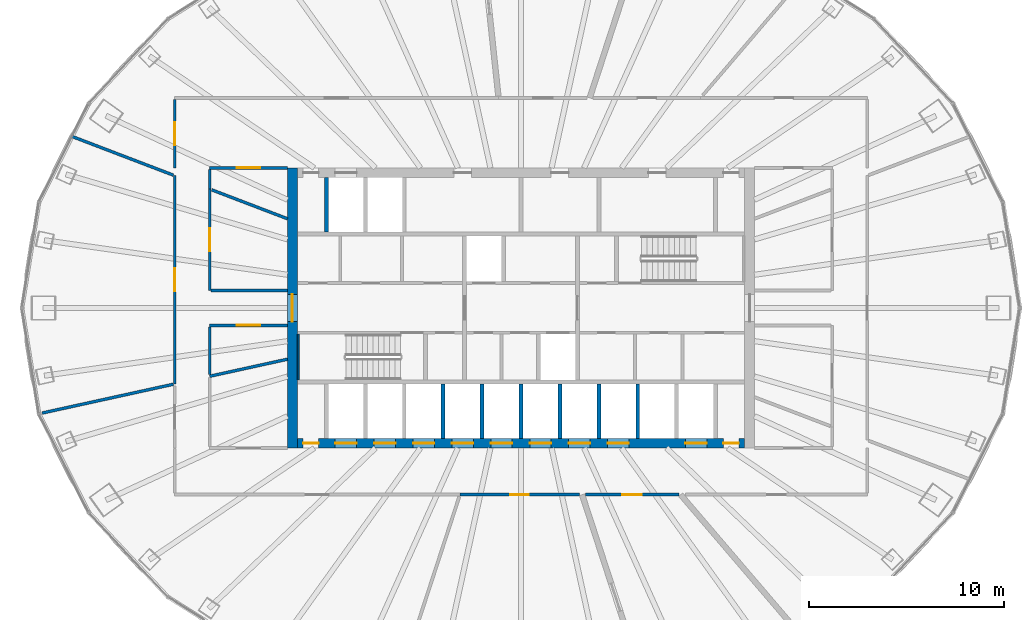
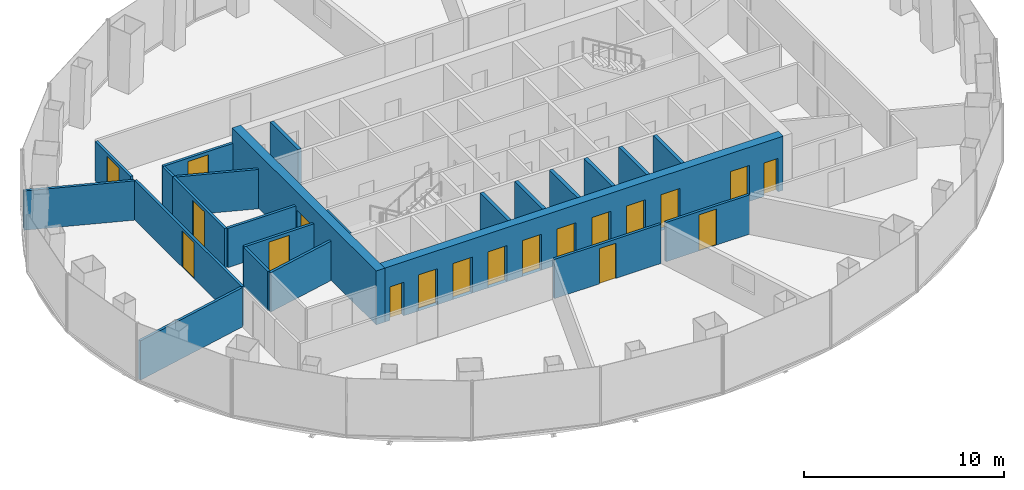
# One storey, part 8 of 12: 24 walls, 19 doors, 19 openings.
"""IFC4 building model written with IfcOpenShell, lengths in metres."""

from ifc_helpers import new_model, si_unit, direction, frame, frame_2d, origin, place, context, subcontext, project, spatial, rectangle, extrude, material, layer, layer_set, type_object, element, fill, save


model = new_model("IFC4")

# Units and contexts
model_context = context("Model", 3, precision=1e-05, world=origin(), true_north=direction((0.0, 1.0)))
body_context = subcontext(model_context, "Body", "Model", "MODEL_VIEW")
ifc_project = project(units=[si_unit("LENGTHUNIT", "METRE"), si_unit("AREAUNIT", "SQUARE_METRE"), si_unit("VOLUMEUNIT", "CUBIC_METRE"), si_unit("PLANEANGLEUNIT", "RADIAN"), si_unit("MASSUNIT", "GRAM", prefix="KILO")], contexts=[model_context])

# Site, building, storey
site_placement = place(None, origin())
site = spatial("IfcSite", under=ifc_project, at=site_placement, CompositionType="ELEMENT")
building_placement = place(site_placement, origin())
building = spatial("IfcBuilding", under=site, at=building_placement, Name="Siaravel Broadcast Tower", CompositionType="ELEMENT")
storey_placement = place(building_placement, frame((0.0, 0.0, 111.89990234375)))
storey = spatial("IfcBuildingStorey", under=building, at=storey_placement, Name="L26", CompositionType="ELEMENT", Elevation=111.89990234375)

# Wall, opening, door
ifc_material_1 = material(Name="Concrete C60/75", Category="concrete")
ifc_layer_1 = layer(ifc_material_1, 0.5)
ifc_layer_set_1 = layer_set([ifc_layer_1], Name="Concrete C60/75")
wall_type_1 = type_object("IfcWallType", Name="Core wall 500", PredefinedType="SHEAR", material=ifc_layer_set_1)
wall_1_placement = place(storey_placement, frame((-11.75, -7.199951171875, 0.0), z_axis=(0.0, 0.0, 1.0), x_axis=(0.0, 1.0, 0.0)))
wall_1 = element("IfcWall", 1, at=wall_1_placement, inside=storey, type_object=wall_type_1, Name="L26 core wall OW", PredefinedType="SHEAR", context=body_context, shape_type="SweptSolid", body=[
    extrude(rectangle(XDim=14.39990234375, YDim=0.5, at=frame_2d((7.199951171875, 0.0))), origin(), (0.0, 0.0, 1.0), 3.300048828125),
])
opening_1_placement = place(wall_1_placement, frame((6.5, 0.0, 0.0)))
opening_1 = element("IfcOpeningElement", 2, at=opening_1_placement, cuts=wall_1, Name="Opening L26-DX-W", PredefinedType="OPENING", context=body_context, shape_type="SweptSolid", body=[
    extrude(rectangle(XDim=1.39990234375, YDim=2.199951171875, at=frame_2d((0.699951171875, 1.10009765625))), frame((0.0, 0.260009765625, 0.0), z_axis=(0.0, -1.0, 0.0), x_axis=(1.0, 0.0, 0.0)), (0.0, 0.0, 1.0), 0.52001953125),
])
ifc_material_2 = material(Name="Steel", Category="steel")
door_type_1 = type_object("IfcDoorType", Name="Core exit door 1400", OperationType="DOUBLE_DOOR_SINGLE_SWING", PredefinedType="DOOR", material=ifc_material_2)
door_1_placement = place(opening_1_placement, origin())
door_1 = element("IfcDoor", 3, at=door_1_placement, inside=storey, type_object=door_type_1, Name="L26 door DX-W", OperationType="DOUBLE_DOOR_SINGLE_SWING", OverallHeight=2.199951171875, OverallWidth=1.39990234375, PredefinedType="DOOR", context=body_context, shape_type="SweptSolid", body=[
    extrude(rectangle(XDim=1.39990234375, YDim=2.199951171875, at=frame_2d((0.699951171875, 1.10009765625))), frame((0.0, 0.02490234375, 0.0), z_axis=(0.0, -1.0, 0.0), x_axis=(1.0, 0.0, 0.0)), (0.0, 0.0, 1.0), 0.050048828125),
])
fill(opening_1, door_1)

# Wall, openings, doors
wall_2_placement = place(storey_placement, frame((-11.5, -6.949951171875, 0.0), z_axis=(0.0, 0.0, 1.0), x_axis=(1.0, 0.0, 0.0)))
wall_2 = element("IfcWall", 4, at=wall_2_placement, inside=storey, type_object=wall_type_1, Name="L26 core wall OS", PredefinedType="SHEAR", context=body_context, shape_type="SweptSolid", body=[
    extrude(rectangle(XDim=23.0, YDim=0.5, at=frame_2d((11.5, 0.0))), origin(), (0.0, 0.0, 1.0), 3.300048828125),
])
opening_2_placement = place(wall_2_placement, frame((1.949951171875, 0.0, 0.0)))
opening_2 = element("IfcOpeningElement", 5, at=opening_2_placement, cuts=wall_2, Name="Opening LD-LP1-L26", PredefinedType="OPENING", context=body_context, shape_type="SweptSolid", body=[
    extrude(rectangle(XDim=1.10009765625, YDim=2.199951171875, at=frame_2d((0.550048828125, 1.10009765625))), frame((0.0, 0.260009765625, 0.0), z_axis=(0.0, -1.0, 0.0), x_axis=(1.0, 0.0, 0.0)), (0.0, 0.0, 1.0), 0.52001953125),
])
opening_3_placement = place(wall_2_placement, frame((3.949951171875, 0.0, 0.0)))
opening_3 = element("IfcOpeningElement", 6, at=opening_3_placement, cuts=wall_2, Name="Opening LD-LP2-L26", PredefinedType="OPENING", context=body_context, shape_type="SweptSolid", body=[
    extrude(rectangle(XDim=1.10009765625, YDim=2.199951171875, at=frame_2d((0.550048828125, 1.10009765625))), frame((0.0, 0.260009765625, 0.0), z_axis=(0.0, -1.0, 0.0), x_axis=(1.0, 0.0, 0.0)), (0.0, 0.0, 1.0), 0.52001953125),
])
opening_4_placement = place(wall_2_placement, frame((5.949951171875, 0.0, 0.0)))
opening_4 = element("IfcOpeningElement", 7, at=opening_4_placement, cuts=wall_2, Name="Opening LD-LP3-L26", PredefinedType="OPENING", context=body_context, shape_type="SweptSolid", body=[
    extrude(rectangle(XDim=1.10009765625, YDim=2.199951171875, at=frame_2d((0.550048828125, 1.10009765625))), frame((0.0, 0.260009765625, 0.0), z_axis=(0.0, -1.0, 0.0), x_axis=(1.0, 0.0, 0.0)), (0.0, 0.0, 1.0), 0.52001953125),
])
opening_5_placement = place(wall_2_placement, frame((7.949951171875, 0.0, 0.0)))
opening_5 = element("IfcOpeningElement", 8, at=opening_5_placement, cuts=wall_2, Name="Opening LD-LP4-L26", PredefinedType="OPENING", context=body_context, shape_type="SweptSolid", body=[
    extrude(rectangle(XDim=1.10009765625, YDim=2.199951171875, at=frame_2d((0.550048828125, 1.10009765625))), frame((0.0, 0.260009765625, 0.0), z_axis=(0.0, -1.0, 0.0), x_axis=(1.0, 0.0, 0.0)), (0.0, 0.0, 1.0), 0.52001953125),
])
opening_6_placement = place(wall_2_placement, frame((9.949951171875, 0.0, 0.0)))
opening_6 = element("IfcOpeningElement", 9, at=opening_6_placement, cuts=wall_2, Name="Opening LD-LP5-L26", PredefinedType="OPENING", context=body_context, shape_type="SweptSolid", body=[
    extrude(rectangle(XDim=1.10009765625, YDim=2.199951171875, at=frame_2d((0.550048828125, 1.10009765625))), frame((0.0, 0.260009765625, 0.0), z_axis=(0.0, -1.0, 0.0), x_axis=(1.0, 0.0, 0.0)), (0.0, 0.0, 1.0), 0.52001953125),
])
opening_7_placement = place(wall_2_placement, frame((11.949951171875, 0.0, 0.0)))
opening_7 = element("IfcOpeningElement", 10, at=opening_7_placement, cuts=wall_2, Name="Opening LD-LP6-L26", PredefinedType="OPENING", context=body_context, shape_type="SweptSolid", body=[
    extrude(rectangle(XDim=1.10009765625, YDim=2.199951171875, at=frame_2d((0.550048828125, 1.10009765625))), frame((0.0, 0.260009765625, 0.0), z_axis=(0.0, -1.0, 0.0), x_axis=(1.0, 0.0, 0.0)), (0.0, 0.0, 1.0), 0.52001953125),
])
opening_8_placement = place(wall_2_placement, frame((13.949951171875, 0.0, 0.0)))
opening_8 = element("IfcOpeningElement", 11, at=opening_8_placement, cuts=wall_2, Name="Opening LD-LP7-L26", PredefinedType="OPENING", context=body_context, shape_type="SweptSolid", body=[
    extrude(rectangle(XDim=1.10009765625, YDim=2.199951171875, at=frame_2d((0.550048828125, 1.10009765625))), frame((0.0, 0.260009765625, 0.0), z_axis=(0.0, -1.0, 0.0), x_axis=(1.0, 0.0, 0.0)), (0.0, 0.0, 1.0), 0.52001953125),
])
opening_9_placement = place(wall_2_placement, frame((15.949951171875, 0.0, 0.0)))
opening_9 = element("IfcOpeningElement", 12, at=opening_9_placement, cuts=wall_2, Name="Opening LD-LP8-L26", PredefinedType="OPENING", context=body_context, shape_type="SweptSolid", body=[
    extrude(rectangle(XDim=1.10009765625, YDim=2.199951171875, at=frame_2d((0.550048828125, 1.10009765625))), frame((0.0, 0.260009765625, 0.0), z_axis=(0.0, -1.0, 0.0), x_axis=(1.0, 0.0, 0.0)), (0.0, 0.0, 1.0), 0.52001953125),
])
opening_10_placement = place(wall_2_placement, frame((19.949951171875, 0.0, 0.0)))
opening_10 = element("IfcOpeningElement", 13, at=opening_10_placement, cuts=wall_2, Name="Opening LD-SV1-L26", PredefinedType="OPENING", context=body_context, shape_type="SweptSolid", body=[
    extrude(rectangle(XDim=1.10009765625, YDim=2.199951171875, at=frame_2d((0.550048828125, 1.10009765625))), frame((0.0, 0.260009765625, 0.0), z_axis=(0.0, -1.0, 0.0), x_axis=(1.0, 0.0, 0.0)), (0.0, 0.0, 1.0), 0.52001953125),
])
opening_11_placement = place(wall_2_placement, frame((0.300048828125, 0.0, 0.0)))
opening_11 = element("IfcOpeningElement", 14, at=opening_11_placement, cuts=wall_2, Name="Opening L26-DRSW", PredefinedType="OPENING", context=body_context, shape_type="SweptSolid", body=[
    extrude(rectangle(XDim=0.800048828125, YDim=2.050048828125, at=frame_2d((0.39990234375, 1.02490234375))), frame((0.0, 0.260009765625, 0.0), z_axis=(0.0, -1.0, 0.0), x_axis=(1.0, 0.0, 0.0)), (0.0, 0.0, 1.0), 0.52001953125),
])
opening_12_placement = place(wall_2_placement, frame((21.89990234375, 0.0, 0.0)))
opening_12 = element("IfcOpeningElement", 15, at=opening_12_placement, cuts=wall_2, Name="Opening L26-DRSE", PredefinedType="OPENING", context=body_context, shape_type="SweptSolid", body=[
    extrude(rectangle(XDim=0.800048828125, YDim=2.050048828125, at=frame_2d((0.39990234375, 1.02490234375))), frame((0.0, 0.260009765625, 0.0), z_axis=(0.0, -1.0, 0.0), x_axis=(1.0, 0.0, 0.0)), (0.0, 0.0, 1.0), 0.52001953125),
])
ifc_material_3 = material(Name="Stainless steel 316L", Category="steel")
door_type_2 = type_object("IfcDoorType", Name="Lift landing door 1100", OperationType="DOUBLE_DOOR_SLIDING", PredefinedType="DOOR", material=ifc_material_3)
door_2_placement = place(opening_2_placement, origin())
door_2 = element("IfcDoor", 16, at=door_2_placement, inside=storey, type_object=door_type_2, Name="Landing door LP1 L26", OperationType="DOUBLE_DOOR_SLIDING", OverallHeight=2.199951171875, OverallWidth=1.10009765625, PredefinedType="DOOR", context=body_context, shape_type="SweptSolid", body=[
    extrude(rectangle(XDim=1.10009765625, YDim=2.199951171875, at=frame_2d((0.550048828125, 1.10009765625))), frame((0.0, 0.02490234375, 0.0), z_axis=(0.0, -1.0, 0.0), x_axis=(1.0, 0.0, 0.0)), (0.0, 0.0, 1.0), 0.050048828125),
])
fill(opening_2, door_2)
door_3_placement = place(opening_3_placement, origin())
door_3 = element("IfcDoor", 17, at=door_3_placement, inside=storey, type_object=door_type_2, Name="Landing door LP2 L26", OperationType="DOUBLE_DOOR_SLIDING", OverallHeight=2.199951171875, OverallWidth=1.10009765625, PredefinedType="DOOR", context=body_context, shape_type="SweptSolid", body=[
    extrude(rectangle(XDim=1.10009765625, YDim=2.199951171875, at=frame_2d((0.550048828125, 1.10009765625))), frame((0.0, 0.02490234375, 0.0), z_axis=(0.0, -1.0, 0.0), x_axis=(1.0, 0.0, 0.0)), (0.0, 0.0, 1.0), 0.050048828125),
])
fill(opening_3, door_3)
door_4_placement = place(opening_4_placement, origin())
door_4 = element("IfcDoor", 18, at=door_4_placement, inside=storey, type_object=door_type_2, Name="Landing door LP3 L26", OperationType="DOUBLE_DOOR_SLIDING", OverallHeight=2.199951171875, OverallWidth=1.10009765625, PredefinedType="DOOR", context=body_context, shape_type="SweptSolid", body=[
    extrude(rectangle(XDim=1.10009765625, YDim=2.199951171875, at=frame_2d((0.550048828125, 1.10009765625))), frame((0.0, 0.02490234375, 0.0), z_axis=(0.0, -1.0, 0.0), x_axis=(1.0, 0.0, 0.0)), (0.0, 0.0, 1.0), 0.050048828125),
])
fill(opening_4, door_4)
door_5_placement = place(opening_5_placement, origin())
door_5 = element("IfcDoor", 19, at=door_5_placement, inside=storey, type_object=door_type_2, Name="Landing door LP4 L26", OperationType="DOUBLE_DOOR_SLIDING", OverallHeight=2.199951171875, OverallWidth=1.10009765625, PredefinedType="DOOR", context=body_context, shape_type="SweptSolid", body=[
    extrude(rectangle(XDim=1.10009765625, YDim=2.199951171875, at=frame_2d((0.550048828125, 1.10009765625))), frame((0.0, 0.02490234375, 0.0), z_axis=(0.0, -1.0, 0.0), x_axis=(1.0, 0.0, 0.0)), (0.0, 0.0, 1.0), 0.050048828125),
])
fill(opening_5, door_5)
door_6_placement = place(opening_6_placement, origin())
door_6 = element("IfcDoor", 20, at=door_6_placement, inside=storey, type_object=door_type_2, Name="Landing door LP5 L26", OperationType="DOUBLE_DOOR_SLIDING", OverallHeight=2.199951171875, OverallWidth=1.10009765625, PredefinedType="DOOR", context=body_context, shape_type="SweptSolid", body=[
    extrude(rectangle(XDim=1.10009765625, YDim=2.199951171875, at=frame_2d((0.550048828125, 1.10009765625))), frame((0.0, 0.02490234375, 0.0), z_axis=(0.0, -1.0, 0.0), x_axis=(1.0, 0.0, 0.0)), (0.0, 0.0, 1.0), 0.050048828125),
])
fill(opening_6, door_6)
door_7_placement = place(opening_7_placement, origin())
door_7 = element("IfcDoor", 21, at=door_7_placement, inside=storey, type_object=door_type_2, Name="Landing door LP6 L26", OperationType="DOUBLE_DOOR_SLIDING", OverallHeight=2.199951171875, OverallWidth=1.10009765625, PredefinedType="DOOR", context=body_context, shape_type="SweptSolid", body=[
    extrude(rectangle(XDim=1.10009765625, YDim=2.199951171875, at=frame_2d((0.550048828125, 1.10009765625))), frame((0.0, 0.02490234375, 0.0), z_axis=(0.0, -1.0, 0.0), x_axis=(1.0, 0.0, 0.0)), (0.0, 0.0, 1.0), 0.050048828125),
])
fill(opening_7, door_7)
door_8_placement = place(opening_8_placement, origin())
door_8 = element("IfcDoor", 22, at=door_8_placement, inside=storey, type_object=door_type_2, Name="Landing door LP7 L26", OperationType="DOUBLE_DOOR_SLIDING", OverallHeight=2.199951171875, OverallWidth=1.10009765625, PredefinedType="DOOR", context=body_context, shape_type="SweptSolid", body=[
    extrude(rectangle(XDim=1.10009765625, YDim=2.199951171875, at=frame_2d((0.550048828125, 1.10009765625))), frame((0.0, 0.02490234375, 0.0), z_axis=(0.0, -1.0, 0.0), x_axis=(1.0, 0.0, 0.0)), (0.0, 0.0, 1.0), 0.050048828125),
])
fill(opening_8, door_8)
door_9_placement = place(opening_9_placement, origin())
door_9 = element("IfcDoor", 23, at=door_9_placement, inside=storey, type_object=door_type_2, Name="Landing door LP8 L26", OperationType="DOUBLE_DOOR_SLIDING", OverallHeight=2.199951171875, OverallWidth=1.10009765625, PredefinedType="DOOR", context=body_context, shape_type="SweptSolid", body=[
    extrude(rectangle(XDim=1.10009765625, YDim=2.199951171875, at=frame_2d((0.550048828125, 1.10009765625))), frame((0.0, 0.02490234375, 0.0), z_axis=(0.0, -1.0, 0.0), x_axis=(1.0, 0.0, 0.0)), (0.0, 0.0, 1.0), 0.050048828125),
])
fill(opening_9, door_9)
door_type_3 = type_object("IfcDoorType", Name="Riser door 800", OperationType="SINGLE_SWING_LEFT", PredefinedType="DOOR", material=ifc_material_2)
door_10_placement = place(opening_11_placement, origin())
door_10 = element("IfcDoor", 24, at=door_10_placement, inside=storey, type_object=door_type_3, Name="L26 door DRSW", OperationType="SINGLE_SWING_LEFT", OverallHeight=2.050048828125, OverallWidth=0.800048828125, PredefinedType="DOOR", context=body_context, shape_type="SweptSolid", body=[
    extrude(rectangle(XDim=0.800048828125, YDim=2.050048828125, at=frame_2d((0.39990234375, 1.02490234375))), frame((0.0, 0.02490234375, 0.0), z_axis=(0.0, -1.0, 0.0), x_axis=(1.0, 0.0, 0.0)), (0.0, 0.0, 1.0), 0.050048828125),
])
fill(opening_11, door_10)
door_11_placement = place(opening_12_placement, origin())
door_11 = element("IfcDoor", 25, at=door_11_placement, inside=storey, type_object=door_type_3, Name="L26 door DRSE", OperationType="SINGLE_SWING_LEFT", OverallHeight=2.050048828125, OverallWidth=0.800048828125, PredefinedType="DOOR", context=body_context, shape_type="SweptSolid", body=[
    extrude(rectangle(XDim=0.800048828125, YDim=2.050048828125, at=frame_2d((0.39990234375, 1.02490234375))), frame((0.0, 0.02490234375, 0.0), z_axis=(0.0, -1.0, 0.0), x_axis=(1.0, 0.0, 0.0)), (0.0, 0.0, 1.0), 0.050048828125),
])
fill(opening_12, door_11)
door_type_4 = type_object("IfcDoorType", Name="Service lift landing door 1100", OperationType="DOUBLE_DOOR_SLIDING", PredefinedType="DOOR", material=ifc_material_3)
door_12_placement = place(opening_10_placement, origin())
door_12 = element("IfcDoor", 26, at=door_12_placement, inside=storey, type_object=door_type_4, Name="Landing door SV1 L26", OperationType="DOUBLE_DOOR_SLIDING", OverallHeight=2.199951171875, OverallWidth=1.10009765625, PredefinedType="DOOR", context=body_context, shape_type="SweptSolid", body=[
    extrude(rectangle(XDim=1.10009765625, YDim=2.199951171875, at=frame_2d((0.550048828125, 1.10009765625))), frame((0.0, 0.02490234375, 0.0), z_axis=(0.0, -1.0, 0.0), x_axis=(1.0, 0.0, 0.0)), (0.0, 0.0, 1.0), 0.050048828125),
])
fill(opening_10, door_12)

# Wall, opening, door
ifc_material_4 = material(Name="Gypsum board partition", Category="gypsum")
ifc_layer_2 = layer(ifc_material_4, 0.14990234375)
ifc_layer_set_2 = layer_set([ifc_layer_2], Name="Gypsum board partition")
wall_type_2 = type_object("IfcWallType", Name="Corridor wall 150", PredefinedType="PARTITIONING", material=ifc_layer_set_2)
wall_3_placement = place(storey_placement, frame((-17.800048828125, 6.798828125, 0.0), z_axis=(0.0, 0.0, 1.0), x_axis=(0.0, -1.0, 0.0)))
wall_3 = element("IfcWall", 27, at=wall_3_placement, inside=storey, type_object=wall_type_2, Name="L26 partition 6", PredefinedType="PARTITIONING", context=body_context, shape_type="SweptSolid", body=[
    extrude(rectangle(XDim=10.70556640625, YDim=0.14990234375, at=frame_2d((5.352783203125, 0.0))), origin(), (0.0, 0.0, 1.0), 2.400146484375),
])
opening_13_placement = place(wall_3_placement, frame((4.752685546875, 0.0, 0.0)))
opening_13 = element("IfcOpeningElement", 28, at=opening_13_placement, cuts=wall_3, Name="Opening L26-013", PredefinedType="OPENING", context=body_context, shape_type="SweptSolid", body=[
    extrude(rectangle(XDim=1.199951171875, YDim=2.199951171875, at=frame_2d((0.60009765625, 1.10009765625))), frame((0.0, 0.0849609375, 0.0), z_axis=(0.0, -1.0, 0.0), x_axis=(1.0, 0.0, 0.0)), (0.0, 0.0, 1.0), 0.169921875),
])
ifc_material_5 = material(Name="Timber veneer", Category="wood")
door_type_5 = type_object("IfcDoorType", Name="Office double door 1200", OperationType="DOUBLE_DOOR_SINGLE_SWING", PredefinedType="DOOR", material=ifc_material_5)
door_13_placement = place(opening_13_placement, origin())
door_13 = element("IfcDoor", 29, at=door_13_placement, inside=storey, type_object=door_type_5, Name="L26 door to Open plan production office", OperationType="DOUBLE_DOOR_SINGLE_SWING", OverallHeight=2.199951171875, OverallWidth=1.199951171875, PredefinedType="DOOR", context=body_context, shape_type="SweptSolid", body=[
    extrude(rectangle(XDim=1.199951171875, YDim=2.199951171875, at=frame_2d((0.60009765625, 1.10009765625))), frame((0.0, 0.02490234375, 0.0), z_axis=(0.0, -1.0, 0.0), x_axis=(1.0, 0.0, 0.0)), (0.0, 0.0, 1.0), 0.050048828125),
])
fill(opening_13, door_13)

wall_4_placement = place(storey_placement, frame((-3.139404296875, -9.60009765625, 0.0), z_axis=(0.0, 0.0, 1.0), x_axis=(1.0, 0.0, 0.0)))
wall_4 = element("IfcWall", 30, at=wall_4_placement, inside=storey, type_object=wall_type_2, Name="L26 partition 14", PredefinedType="PARTITIONING", context=body_context, shape_type="SweptSolid", body=[
    extrude(rectangle(XDim=6.144775390625, YDim=0.14990234375, at=frame_2d((3.072265625, 0.0))), origin(), (0.0, 0.0, 1.0), 2.400146484375),
])
opening_14_placement = place(wall_4_placement, frame((2.597412109375, 0.0, 0.0)))
opening_14 = element("IfcOpeningElement", 31, at=opening_14_placement, cuts=wall_4, Name="Opening L26-019", PredefinedType="OPENING", context=body_context, shape_type="SweptSolid", body=[
    extrude(rectangle(XDim=0.949951171875, YDim=2.14990234375, at=frame_2d((0.47509765625, 1.074951171875))), frame((0.0, 0.0849609375, 0.0), z_axis=(0.0, -1.0, 0.0), x_axis=(1.0, 0.0, 0.0)), (0.0, 0.0, 1.0), 0.169921875),
])
door_type_6 = type_object("IfcDoorType", Name="Office door 950", OperationType="SINGLE_SWING_LEFT", PredefinedType="DOOR", material=ifc_material_5)
door_14_placement = place(opening_14_placement, origin())
door_14 = element("IfcDoor", 32, at=door_14_placement, inside=storey, type_object=door_type_6, Name="L26 door to Design studio", OperationType="SINGLE_SWING_LEFT", OverallHeight=2.14990234375, OverallWidth=0.949951171875, PredefinedType="DOOR", context=body_context, shape_type="SweptSolid", body=[
    extrude(rectangle(XDim=0.949951171875, YDim=2.14990234375, at=frame_2d((0.47509765625, 1.074951171875))), frame((0.0, 0.02490234375, 0.0), z_axis=(0.0, -1.0, 0.0), x_axis=(1.0, 0.0, 0.0)), (0.0, 0.0, 1.0), 0.050048828125),
])
fill(opening_14, door_14)

wall_5_placement = place(storey_placement, frame((-16.0, 0.89990234375, 0.0), z_axis=(0.0, 0.0, 1.0), x_axis=(0.0, 1.0, 0.0)))
wall_5 = element("IfcWall", 33, at=wall_5_placement, inside=storey, type_object=wall_type_2, Name="L26 partition 19", PredefinedType="PARTITIONING", context=body_context, shape_type="SweptSolid", body=[
    extrude(rectangle(XDim=5.21142578125, YDim=0.14990234375, at=frame_2d((2.605712890625, 0.0))), origin(), (0.0, 0.0, 1.0), 2.400146484375),
])
opening_15_placement = place(wall_5_placement, frame((2.005615234375, 0.0, 0.0)))
opening_15 = element("IfcOpeningElement", 34, at=opening_15_placement, cuts=wall_5, Name="Opening L26-015", PredefinedType="OPENING", context=body_context, shape_type="SweptSolid", body=[
    extrude(rectangle(XDim=1.199951171875, YDim=2.199951171875, at=frame_2d((0.60009765625, 1.10009765625))), frame((0.0, 0.0849609375, 0.0), z_axis=(0.0, -1.0, 0.0), x_axis=(1.0, 0.0, 0.0)), (0.0, 0.0, 1.0), 0.169921875),
])
door_15_placement = place(opening_15_placement, origin())
door_15 = element("IfcDoor", 35, at=door_15_placement, inside=storey, type_object=door_type_5, Name="L26 door to Open plan production office", OperationType="DOUBLE_DOOR_SINGLE_SWING", OverallHeight=2.199951171875, OverallWidth=1.199951171875, PredefinedType="DOOR", context=body_context, shape_type="SweptSolid", body=[
    extrude(rectangle(XDim=1.199951171875, YDim=2.199951171875, at=frame_2d((0.60009765625, 1.10009765625))), frame((0.0, 0.02490234375, 0.0), z_axis=(0.0, -1.0, 0.0), x_axis=(1.0, 0.0, 0.0)), (0.0, 0.0, 1.0), 0.050048828125),
])
fill(opening_15, door_15)

wall_6_placement = place(storey_placement, frame((3.314208984375, -9.60009765625, 0.0), z_axis=(0.0, 0.0, 1.0), x_axis=(1.0, 0.0, 0.0)))
wall_6 = element("IfcWall", 36, at=wall_6_placement, inside=storey, type_object=wall_type_2, Name="L26 partition 22", PredefinedType="PARTITIONING", context=body_context, shape_type="SweptSolid", body=[
    extrude(rectangle(XDim=4.802490234375, YDim=0.14990234375, at=frame_2d((2.4013671875, 0.0))), origin(), (0.0, 0.0, 1.0), 2.400146484375),
])
opening_16_placement = place(wall_6_placement, frame((1.9013671875, 0.0, 0.0)))
opening_16 = element("IfcOpeningElement", 37, at=opening_16_placement, cuts=wall_6, Name="Opening L26-020", PredefinedType="OPENING", context=body_context, shape_type="SweptSolid", body=[
    extrude(rectangle(XDim=1.0, YDim=2.199951171875, at=frame_2d((0.5, 1.10009765625))), frame((0.0, 0.0849609375, 0.0), z_axis=(0.0, -1.0, 0.0), x_axis=(1.0, 0.0, 0.0)), (0.0, 0.0, 1.0), 0.169921875),
])
ifc_material_6 = material(Name="Acoustic timber and steel", Category="steel")
door_type_7 = type_object("IfcDoorType", Name="Acoustic door 1000", OperationType="SINGLE_SWING_LEFT", PredefinedType="DOOR", material=ifc_material_6)
door_16_placement = place(opening_16_placement, origin())
door_16 = element("IfcDoor", 38, at=door_16_placement, inside=storey, type_object=door_type_7, Name="L26 door to Viewing theatre", OperationType="SINGLE_SWING_RIGHT", OverallHeight=2.199951171875, OverallWidth=1.0, PredefinedType="DOOR", context=body_context, shape_type="SweptSolid", body=[
    extrude(rectangle(XDim=1.0, YDim=2.199951171875, at=frame_2d((0.5, 1.10009765625))), frame((0.0, 0.02490234375, 0.0), z_axis=(0.0, -1.0, 0.0), x_axis=(1.0, 0.0, 0.0)), (0.0, 0.0, 1.0), 0.050048828125),
])
fill(opening_16, door_16)

wall_7_placement = place(storey_placement, frame((-16.0, -0.89990234375, 0.0), z_axis=(0.0, 0.0, 1.0), x_axis=(1.0, 0.0, 0.0)))
wall_7 = element("IfcWall", 39, at=wall_7_placement, inside=storey, type_object=wall_type_2, Name="L26 partition 28", PredefinedType="PARTITIONING", context=body_context, shape_type="SweptSolid", body=[
    extrude(rectangle(XDim=4.0, YDim=0.14990234375, at=frame_2d((2.0, 0.0))), origin(), (0.0, 0.0, 1.0), 2.400146484375),
])
opening_17_placement = place(wall_7_placement, frame((1.39990234375, 0.0, 0.0)))
opening_17 = element("IfcOpeningElement", 40, at=opening_17_placement, cuts=wall_7, Name="Opening L26-014", PredefinedType="OPENING", context=body_context, shape_type="SweptSolid", body=[
    extrude(rectangle(XDim=1.199951171875, YDim=2.199951171875, at=frame_2d((0.60009765625, 1.10009765625))), frame((0.0, 0.0849609375, 0.0), z_axis=(0.0, -1.0, 0.0), x_axis=(1.0, 0.0, 0.0)), (0.0, 0.0, 1.0), 0.169921875),
])
door_17_placement = place(opening_17_placement, origin())
door_17 = element("IfcDoor", 41, at=door_17_placement, inside=storey, type_object=door_type_5, Name="L26 door to Open plan production office", OperationType="DOUBLE_DOOR_SINGLE_SWING", OverallHeight=2.199951171875, OverallWidth=1.199951171875, PredefinedType="DOOR", context=body_context, shape_type="SweptSolid", body=[
    extrude(rectangle(XDim=1.199951171875, YDim=2.199951171875, at=frame_2d((0.60009765625, 1.10009765625))), frame((0.0, 0.02490234375, 0.0), z_axis=(0.0, -1.0, 0.0), x_axis=(1.0, 0.0, 0.0)), (0.0, 0.0, 1.0), 0.050048828125),
])
fill(opening_17, door_17)

wall_8_placement = place(storey_placement, frame((-16.0, 7.199951171875, 0.0), z_axis=(0.0, 0.0, 1.0), x_axis=(1.0, 0.0, 0.0)))
wall_8 = element("IfcWall", 42, at=wall_8_placement, inside=storey, type_object=wall_type_2, Name="L26 partition 29", PredefinedType="PARTITIONING", context=body_context, shape_type="SweptSolid", body=[
    extrude(rectangle(XDim=4.0, YDim=0.14990234375, at=frame_2d((2.0, 0.0))), origin(), (0.0, 0.0, 1.0), 2.400146484375),
])
opening_18_placement = place(wall_8_placement, frame((1.39990234375, 0.0, 0.0)))
opening_18 = element("IfcOpeningElement", 43, at=opening_18_placement, cuts=wall_8, Name="Opening L26-010", PredefinedType="OPENING", context=body_context, shape_type="SweptSolid", body=[
    extrude(rectangle(XDim=1.199951171875, YDim=2.199951171875, at=frame_2d((0.60009765625, 1.10009765625))), frame((0.0, 0.0849609375, 0.0), z_axis=(0.0, -1.0, 0.0), x_axis=(1.0, 0.0, 0.0)), (0.0, 0.0, 1.0), 0.169921875),
])
door_18_placement = place(opening_18_placement, origin())
door_18 = element("IfcDoor", 44, at=door_18_placement, inside=storey, type_object=door_type_5, Name="L26 door to Open plan production office", OperationType="DOUBLE_DOOR_SINGLE_SWING", OverallHeight=2.199951171875, OverallWidth=1.199951171875, PredefinedType="DOOR", context=body_context, shape_type="SweptSolid", body=[
    extrude(rectangle(XDim=1.199951171875, YDim=2.199951171875, at=frame_2d((0.60009765625, 1.10009765625))), frame((0.0, 0.02490234375, 0.0), z_axis=(0.0, -1.0, 0.0), x_axis=(1.0, 0.0, 0.0)), (0.0, 0.0, 1.0), 0.050048828125),
])
fill(opening_18, door_18)

# Wall
wall_9_placement = place(storey_placement, frame((-12.0, 0.89990234375, 0.0), z_axis=(0.0, 0.0, 1.0), x_axis=(-1.0, 0.0, 0.0)))
element("IfcWall", 45, at=wall_9_placement, inside=storey, type_object=wall_type_2, Name="L26 partition 31", PredefinedType="PARTITIONING", context=body_context, shape_type="SweptSolid", body=[
    extrude(rectangle(XDim=3.923095703125, YDim=0.14990234375, at=frame_2d((1.96142578125, 0.0))), origin(), (0.0, 0.0, 1.0), 2.400146484375),
])

# Wall, opening, door
wall_10_placement = place(storey_placement, frame((-17.800048828125, 10.722900390625, 0.0), z_axis=(0.0, 0.0, 1.0), x_axis=(0.0, -1.0, 0.0)))
wall_10 = element("IfcWall", 46, at=wall_10_placement, inside=storey, type_object=wall_type_2, Name="L26 partition 37", PredefinedType="PARTITIONING", context=body_context, shape_type="SweptSolid", body=[
    extrude(rectangle(XDim=3.534912109375, YDim=0.14990234375, at=frame_2d((1.767578125, 0.0))), origin(), (0.0, 0.0, 1.0), 2.400146484375),
])
opening_19_placement = place(wall_10_placement, frame((1.16748046875, 0.0, 0.0)))
opening_19 = element("IfcOpeningElement", 47, at=opening_19_placement, cuts=wall_10, Name="Opening L26-012", PredefinedType="OPENING", context=body_context, shape_type="SweptSolid", body=[
    extrude(rectangle(XDim=1.199951171875, YDim=2.199951171875, at=frame_2d((0.60009765625, 1.10009765625))), frame((0.0, 0.0849609375, 0.0), z_axis=(0.0, -1.0, 0.0), x_axis=(1.0, 0.0, 0.0)), (0.0, 0.0, 1.0), 0.169921875),
])
door_19_placement = place(opening_19_placement, origin())
door_19 = element("IfcDoor", 48, at=door_19_placement, inside=storey, type_object=door_type_5, Name="L26 door to Open plan production office", OperationType="DOUBLE_DOOR_SINGLE_SWING", OverallHeight=2.199951171875, OverallWidth=1.199951171875, PredefinedType="DOOR", context=body_context, shape_type="SweptSolid", body=[
    extrude(rectangle(XDim=1.199951171875, YDim=2.199951171875, at=frame_2d((0.60009765625, 1.10009765625))), frame((0.0, 0.02490234375, 0.0), z_axis=(0.0, -1.0, 0.0), x_axis=(1.0, 0.0, 0.0)), (0.0, 0.0, 1.0), 0.050048828125),
])
fill(opening_19, door_19)

# Walls
wall_11_placement = place(storey_placement, frame((-16.0, -3.41650390625, 0.0), z_axis=(0.0, 0.0, 1.0), x_axis=(0.0, 1.0, 0.0)))
element("IfcWall", 49, at=wall_11_placement, inside=storey, type_object=wall_type_2, Name="L26 partition 40", PredefinedType="PARTITIONING", context=body_context, shape_type="SweptSolid", body=[
    extrude(rectangle(XDim=2.439453125, YDim=0.14990234375, at=frame_2d((1.2197265625, 0.0))), origin(), (0.0, 0.0, 1.0), 2.400146484375),
])
wall_12_placement = place(storey_placement, frame((-16.0, 6.1123046875, 0.0), z_axis=(0.0, 0.0, 1.0), x_axis=(0.0, 1.0, 0.0)))
element("IfcWall", 50, at=wall_12_placement, inside=storey, type_object=wall_type_2, Name="L26 partition 43", PredefinedType="PARTITIONING", context=body_context, shape_type="SweptSolid", body=[
    extrude(rectangle(XDim=1.0107421875, YDim=0.14990234375, at=frame_2d((0.50537109375, 0.0))), origin(), (0.0, 0.0, 1.0), 2.400146484375),
])
ifc_layer_3 = layer(ifc_material_4, 0.14990234375)
ifc_layer_set_3 = layer_set([ifc_layer_3], Name="Gypsum board partition")
wall_type_3 = type_object("IfcWallType", Name="Room partition 150", PredefinedType="PARTITIONING", material=ifc_layer_set_3)
wall_13_placement = place(storey_placement, frame((-24.614501953125, -5.40234375, 0.0), z_axis=(0.0, 0.0, 1.0), x_axis=(0.97675139, 0.214375192, 0.0)))
element("IfcWall", 51, at=wall_13_placement, inside=storey, type_object=wall_type_3, Name="L26 partition 13", PredefinedType="PARTITIONING", context=body_context, shape_type="SweptSolid", body=[
    extrude(rectangle(XDim=6.9013671875, YDim=0.14990234375, at=frame_2d((3.45068359375, 0.0))), origin(), (0.0, 0.0, 1.0), 2.400146484375),
])
wall_14_placement = place(storey_placement, frame((-23.09375, 8.82080078125, 0.0), z_axis=(0.0, 0.0, 1.0), x_axis=(0.934174226, -0.356817201, 0.0)))
element("IfcWall", 52, at=wall_14_placement, inside=storey, type_object=wall_type_3, Name="L26 partition 16", PredefinedType="PARTITIONING", context=body_context, shape_type="SweptSolid", body=[
    extrude(rectangle(XDim=5.5947265625, YDim=0.14990234375, at=frame_2d((2.79736328125, 0.0))), origin(), (0.0, 0.0, 1.0), 2.400146484375),
])
wall_15_placement = place(storey_placement, frame((-15.896484375, 6.07177734375, 0.0), z_axis=(0.0, 0.0, 1.0), x_axis=(0.934175823, -0.356813021, 0.0)))
element("IfcWall", 53, at=wall_15_placement, inside=storey, type_object=wall_type_3, Name="L26 partition 24", PredefinedType="PARTITIONING", context=body_context, shape_type="SweptSolid", body=[
    extrude(rectangle(XDim=4.171142578125, YDim=0.14990234375, at=frame_2d((2.08544921875, 0.0))), origin(), (0.0, 0.0, 1.0), 2.400146484375),
])
wall_16_placement = place(storey_placement, frame((-16.0, -3.51171875, 0.0), z_axis=(0.0, 0.0, 1.0), x_axis=(0.976750433, 0.214379551, 0.0)))
element("IfcWall", 54, at=wall_16_placement, inside=storey, type_object=wall_type_3, Name="L26 partition 27", PredefinedType="PARTITIONING", context=body_context, shape_type="SweptSolid", body=[
    extrude(rectangle(XDim=4.09521484375, YDim=0.14990234375, at=frame_2d((2.047607421875, 0.0))), origin(), (0.0, 0.0, 1.0), 2.400146484375),
])
ifc_layer_4 = layer(ifc_material_1, 0.10009765625)
ifc_layer_set_4 = layer_set([ifc_layer_4], Name="Concrete C60/75")
wall_type_4 = type_object("IfcWallType", Name="Shaft wall 100", PredefinedType="SHEAR", material=ifc_layer_set_4)
wall_17_placement = place(storey_placement, frame((-11.449951171875, -3.699951171875, 0.0), z_axis=(0.0, 0.0, 1.0), x_axis=(0.0, 1.0, 0.0)))
element("IfcWall", 55, at=wall_17_placement, inside=storey, type_object=wall_type_4, Name="L26 core wall ST1W", PredefinedType="SHEAR", context=body_context, shape_type="SweptSolid", body=[
    extrude(rectangle(XDim=2.349853515625, YDim=0.10009765625, at=frame_2d((1.1748046875, 0.0))), origin(), (0.0, 0.0, 1.0), 3.300048828125),
])
ifc_layer_5 = layer(ifc_material_1, 0.199951171875)
ifc_layer_set_5 = layer_set([ifc_layer_5], Name="Concrete C60/75")
wall_type_5 = type_object("IfcWallType", Name="Shaft wall 200", PredefinedType="SHEAR", material=ifc_layer_set_5)
for number, where, z_axis, x_axis, name in (
    (56, (-4.0, -6.699951171875, 0.0), (0.0, 0.0, 1.0), (0.0, 1.0, 0.0), "L26 core wall SWS3"),
    (57, (-2.0, -6.699951171875, 0.0), (0.0, 0.0, 1.0), (0.0, 1.0, 0.0), "L26 core wall SWS4"),
    (58, (0.0, -6.699951171875, 0.0), (0.0, 0.0, 1.0), (0.0, 1.0, 0.0), "L26 core wall SWS5"),
    (59, (2.0, -6.699951171875, 0.0), (0.0, 0.0, 1.0), (0.0, 1.0, 0.0), "L26 core wall SWS6"),
    (60, (4.0, -6.699951171875, 0.0), (0.0, 0.0, 1.0), (0.0, 1.0, 0.0), "L26 core wall SWS7"),
    (61, (6.0, -6.699951171875, 0.0), (0.0, 0.0, 1.0), (0.0, 1.0, 0.0), "L26 core wall SWS8"),
    (62, (-10.0, 3.89990234375, 0.0), (0.0, 0.0, 1.0), (0.0, 1.0, 0.0), "L26 core wall SWN0"),
):
    element("IfcWall", number, at=place(storey_placement, frame(where, z_axis=z_axis, x_axis=x_axis)), inside=storey, type_object=wall_type_5, Name=name, PredefinedType="SHEAR", context=body_context, shape_type="SweptSolid", body=[
        extrude(rectangle(XDim=2.800048828125, YDim=0.199951171875, at=frame_2d((1.39990234375, 0.0))), origin(), (0.0, 0.0, 1.0), 3.300048828125),
    ])

save(model, "model.ifc")
